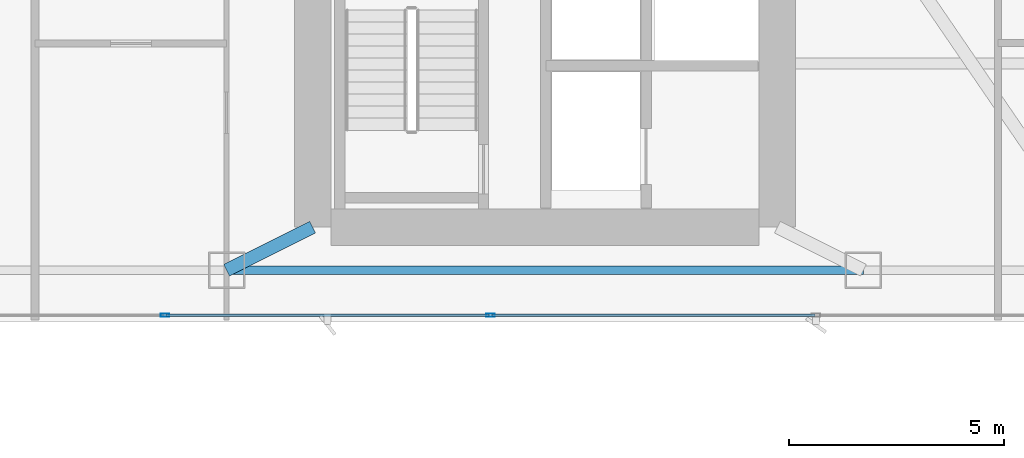
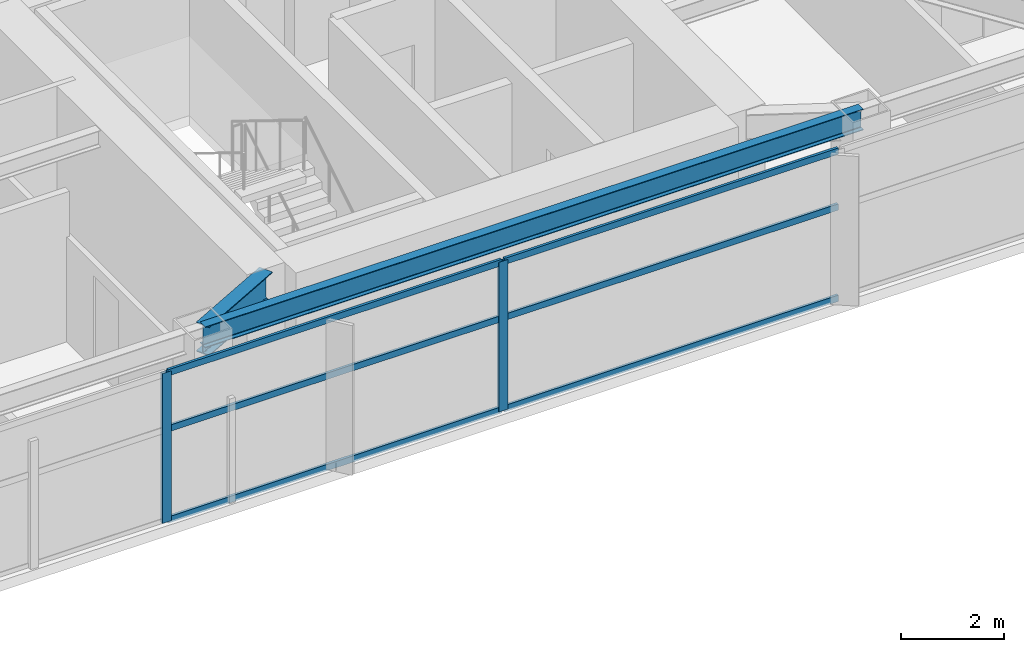
# One storey, part 6 of 29: 8 members, 2 beams, 1 element without a shape of its own.
"""IFC4 building model written with IfcOpenShell, lengths in metres."""

from ifc_helpers import new_model, si_unit, direction, frame, origin, origin_2d, place, context, subcontext, project, spatial, hollow_rectangle, i_section, extrude, material, layer, layer_set, material_profile, profile_set, type_object, element, aggregate, save


model = new_model("IFC4")

# Units and contexts
model_context = context("Model", 3, precision=1e-05, world=origin(), true_north=direction((0.0, 1.0)))
body_context = subcontext(model_context, "Body", "Model", "MODEL_VIEW")
ifc_project = project(units=[si_unit("LENGTHUNIT", "METRE"), si_unit("AREAUNIT", "SQUARE_METRE"), si_unit("VOLUMEUNIT", "CUBIC_METRE"), si_unit("PLANEANGLEUNIT", "RADIAN"), si_unit("MASSUNIT", "GRAM", prefix="KILO")], contexts=[model_context])

# Site, building, storey
site_placement = place(None, origin())
site = spatial("IfcSite", under=ifc_project, at=site_placement, CompositionType="ELEMENT")
building_placement = place(site_placement, origin())
building = spatial("IfcBuilding", under=site, at=building_placement, Name="Calvorn Quay Hotel", CompositionType="ELEMENT")
storey_placement = place(building_placement, frame((0.0, 0.0, 120.199951171875)))
storey = spatial("IfcBuildingStorey", under=building, at=storey_placement, Name="L29", CompositionType="ELEMENT", Elevation=120.199951171875)

# Beams
ifc_material_1 = material(Name="Steel Q390GJC", Category="steel")
ifc_material_profile_1 = material_profile(ifc_material_1, i_section(OverallWidth=0.300048828125, OverallDepth=0.699951171875, WebThickness=0.012939453125, FlangeThickness=0.02392578125, FilletRadius=0.02392578125, at=origin_2d()), Name="HN700x300x13x24")
ifc_profile_set_1 = profile_set([ifc_material_profile_1], Name="Steel Q390GJC")
beam_type_1 = type_object("IfcBeamType", Name="BM-GIRD-MAIN", PredefinedType="BEAM", material=ifc_profile_set_1)
beam_1_placement = place(storey_placement, frame((19.60009765625, 3.60009765625, 3.18994140625), z_axis=(0.894427191, 0.4472135955, 0.0), x_axis=(-0.4472135955, 0.894427191, 0.0)))
element("IfcBeam", 1, at=beam_1_placement, inside=storey, type_object=beam_type_1, Name="Beam BG-L29-S2", PredefinedType="BEAM", context=body_context, shape_type="SweptSolid", body=[
    extrude(i_section(OverallWidth=0.300048828125, OverallDepth=0.699951171875, WebThickness=0.012939453125, FlangeThickness=0.02392578125, FilletRadius=0.02392578125, at=origin_2d()), origin(), (0.0, 0.0, 1.0), 2.236083984375),
])
ifc_material_2 = material(Name="Steel Q355B", Category="steel")
ifc_material_profile_2 = material_profile(ifc_material_2, i_section(OverallWidth=0.199951171875, OverallDepth=0.5, WebThickness=0.010009765625, FlangeThickness=0.01611328125, FilletRadius=0.01611328125, at=origin_2d()), Name="HN500x200x10x16")
ifc_profile_set_2 = profile_set([ifc_material_profile_2], Name="Steel Q355B")
beam_type_2 = type_object("IfcBeamType", Name="BM-SPANDREL-Z1", PredefinedType="SPANDREL", material=ifc_profile_set_2)
beam_2_placement = place(storey_placement, frame((19.60009765625, 3.60009765625, 3.2900390625), z_axis=(1.0, 0.0, 0.0), x_axis=(0.0, 1.0, 0.0)))
element("IfcBeam", 2, at=beam_2_placement, inside=storey, type_object=beam_type_2, Name="Beam BSP-L29-S3", PredefinedType="SPANDREL", context=body_context, shape_type="SweptSolid", body=[
    extrude(i_section(OverallWidth=0.199951171875, OverallDepth=0.5, WebThickness=0.010009765625, FlangeThickness=0.01611328125, FilletRadius=0.01611328125, at=origin_2d()), origin(), (0.0, 0.0, 1.0), 14.7998046875),
])

# Curtain wall, members
ifc_material_3 = material(Name="Pale Anodised Aluminium and Low-E Glass", Category="aluminium")
ifc_layer = layer(ifc_material_3, 0.219970703125)
ifc_layer_set = layer_set([ifc_layer], Name="CW-SYS-Z2")
curtain_wall_type = type_object("IfcCurtainWallType", Name="CW-SYS-Z2", PredefinedType="NOTDEFINED", material=ifc_layer_set)
curtain_wall_placement = place(storey_placement, origin())
curtain_wall = element("IfcCurtainWall", 3, at=curtain_wall_placement, inside=storey, type_object=curtain_wall_type, Name="Tower South Waterfront Curtain Wall (L29)", PredefinedType="NOTDEFINED")
ifc_material_4 = material(Name="Pale Anodised Aluminium 6063-T6", Category="aluminium")
ifc_material_profile_3 = material_profile(ifc_material_4, hollow_rectangle(XDim=0.070068359375, YDim=0.199951171875, WallThickness=0.00390625, at=origin_2d()), Name="ALU-M200x70x4")
ifc_profile_set_3 = profile_set([ifc_material_profile_3], Name="Pale Anodised Aluminium 6063-T6")
member_type_1 = type_object("IfcMemberType", Name="CW-SYS-Z2-MUL", PredefinedType="MULLION", material=ifc_profile_set_3)
member_1_placement = place(storey_placement, frame((18.166748046875, 2.550048828125, 0.0), z_axis=(0.0, 0.0, 1.0), x_axis=(0.0, 1.0, 0.0)))
member_1 = element("IfcMember", 4, at=member_1_placement, type_object=member_type_1, Name="CW-L29-S mullion 2", PredefinedType="MULLION", context=body_context, shape_type="SweptSolid", body=[
    extrude(hollow_rectangle(XDim=0.070068359375, YDim=0.199951171875, WallThickness=0.00390625, at=origin_2d()), origin(), (0.0, 0.0, 1.0), 3.56005859375),
])
member_2_placement = place(storey_placement, frame((25.7333984375, 2.550048828125, 0.0), z_axis=(0.0, 0.0, 1.0), x_axis=(0.0, 1.0, 0.0)))
member_2 = element("IfcMember", 5, at=member_2_placement, type_object=member_type_1, Name="CW-L29-S mullion 3", PredefinedType="MULLION", context=body_context, shape_type="SweptSolid", body=[
    extrude(hollow_rectangle(XDim=0.070068359375, YDim=0.199951171875, WallThickness=0.00390625, at=origin_2d()), origin(), (0.0, 0.0, 1.0), 3.56005859375),
])
ifc_material_5 = material(Name="Pale Anodised Aluminium 6063-T6", Category="aluminium")
ifc_material_profile_4 = material_profile(ifc_material_5, hollow_rectangle(XDim=0.06005859375, YDim=0.14990234375, WallThickness=0.00341796875, at=origin_2d()), Name="ALU-T150x60x3.5")
ifc_profile_set_4 = profile_set([ifc_material_profile_4], Name="Pale Anodised Aluminium 6063-T6")
member_type_2 = type_object("IfcMemberType", Name="CW-SYS-Z2-TRN", PredefinedType="USERDEFINED", material=ifc_profile_set_4)
member_3_placement = place(storey_placement, frame((18.19677734375, 2.550048828125, 0.030029296875), z_axis=(1.0, 0.0, 0.0), x_axis=(0.0, 1.0, 0.0)))
member_3 = element("IfcMember", 6, at=member_3_placement, type_object=member_type_2, Name="CW-L29-S transom 2.1", ObjectType="TRANSOM", PredefinedType="USERDEFINED", context=body_context, shape_type="SweptSolid", body=[
    extrude(hollow_rectangle(XDim=0.06005859375, YDim=0.14990234375, WallThickness=0.00341796875, at=origin_2d()), origin(), (0.0, 0.0, 1.0), 7.506591796875),
])
member_4_placement = place(storey_placement, frame((18.19677734375, 2.550048828125, 2.199951171875), z_axis=(1.0, 0.0, 0.0), x_axis=(0.0, 1.0, 0.0)))
member_4 = element("IfcMember", 7, at=member_4_placement, type_object=member_type_2, Name="CW-L29-S transom 2.2", ObjectType="TRANSOM", PredefinedType="USERDEFINED", context=body_context, shape_type="SweptSolid", body=[
    extrude(hollow_rectangle(XDim=0.06005859375, YDim=0.14990234375, WallThickness=0.00341796875, at=origin_2d()), origin(), (0.0, 0.0, 1.0), 7.506591796875),
])
member_5_placement = place(storey_placement, frame((18.19677734375, 2.550048828125, 3.530029296875), z_axis=(1.0, 0.0, 0.0), x_axis=(0.0, 1.0, 0.0)))
member_5 = element("IfcMember", 8, at=member_5_placement, type_object=member_type_2, Name="CW-L29-S transom 2.3", ObjectType="TRANSOM", PredefinedType="USERDEFINED", context=body_context, shape_type="SweptSolid", body=[
    extrude(hollow_rectangle(XDim=0.06005859375, YDim=0.14990234375, WallThickness=0.00341796875, at=origin_2d()), origin(), (0.0, 0.0, 1.0), 7.506591796875),
])
member_6_placement = place(storey_placement, frame((25.763427734375, 2.550048828125, 0.030029296875), z_axis=(1.0, 0.0, 0.0), x_axis=(0.0, 1.0, 0.0)))
member_6 = element("IfcMember", 9, at=member_6_placement, type_object=member_type_2, Name="CW-L29-S transom 3.1", ObjectType="TRANSOM", PredefinedType="USERDEFINED", context=body_context, shape_type="SweptSolid", body=[
    extrude(hollow_rectangle(XDim=0.06005859375, YDim=0.14990234375, WallThickness=0.00341796875, at=origin_2d()), origin(), (0.0, 0.0, 1.0), 7.506591796875),
])
member_7_placement = place(storey_placement, frame((25.763427734375, 2.550048828125, 2.199951171875), z_axis=(1.0, 0.0, 0.0), x_axis=(0.0, 1.0, 0.0)))
member_7 = element("IfcMember", 10, at=member_7_placement, type_object=member_type_2, Name="CW-L29-S transom 3.2", ObjectType="TRANSOM", PredefinedType="USERDEFINED", context=body_context, shape_type="SweptSolid", body=[
    extrude(hollow_rectangle(XDim=0.06005859375, YDim=0.14990234375, WallThickness=0.00341796875, at=origin_2d()), origin(), (0.0, 0.0, 1.0), 7.506591796875),
])
member_8_placement = place(storey_placement, frame((25.763427734375, 2.550048828125, 3.530029296875), z_axis=(1.0, 0.0, 0.0), x_axis=(0.0, 1.0, 0.0)))
member_8 = element("IfcMember", 11, at=member_8_placement, type_object=member_type_2, Name="CW-L29-S transom 3.3", ObjectType="TRANSOM", PredefinedType="USERDEFINED", context=body_context, shape_type="SweptSolid", body=[
    extrude(hollow_rectangle(XDim=0.06005859375, YDim=0.14990234375, WallThickness=0.00341796875, at=origin_2d()), origin(), (0.0, 0.0, 1.0), 7.506591796875),
])
aggregate(curtain_wall, [member_1, member_2, member_3, member_4, member_5, member_6, member_7, member_8])

save(model, "model.ifc")
